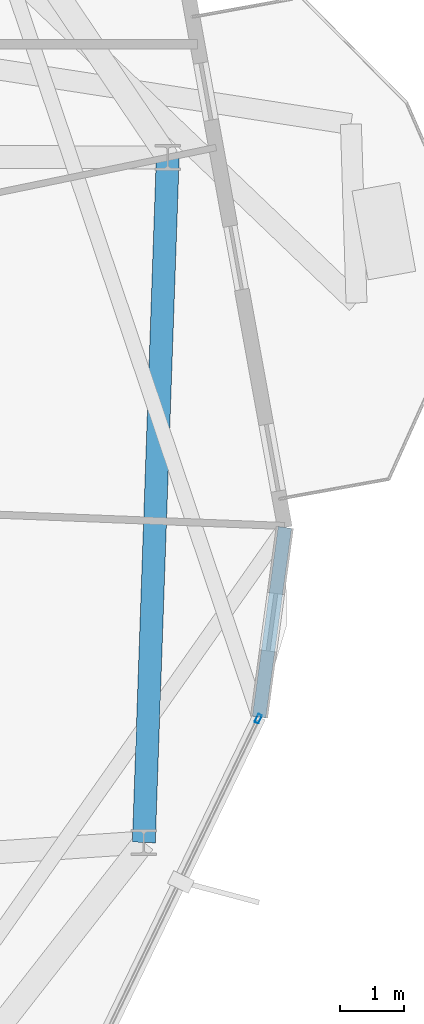
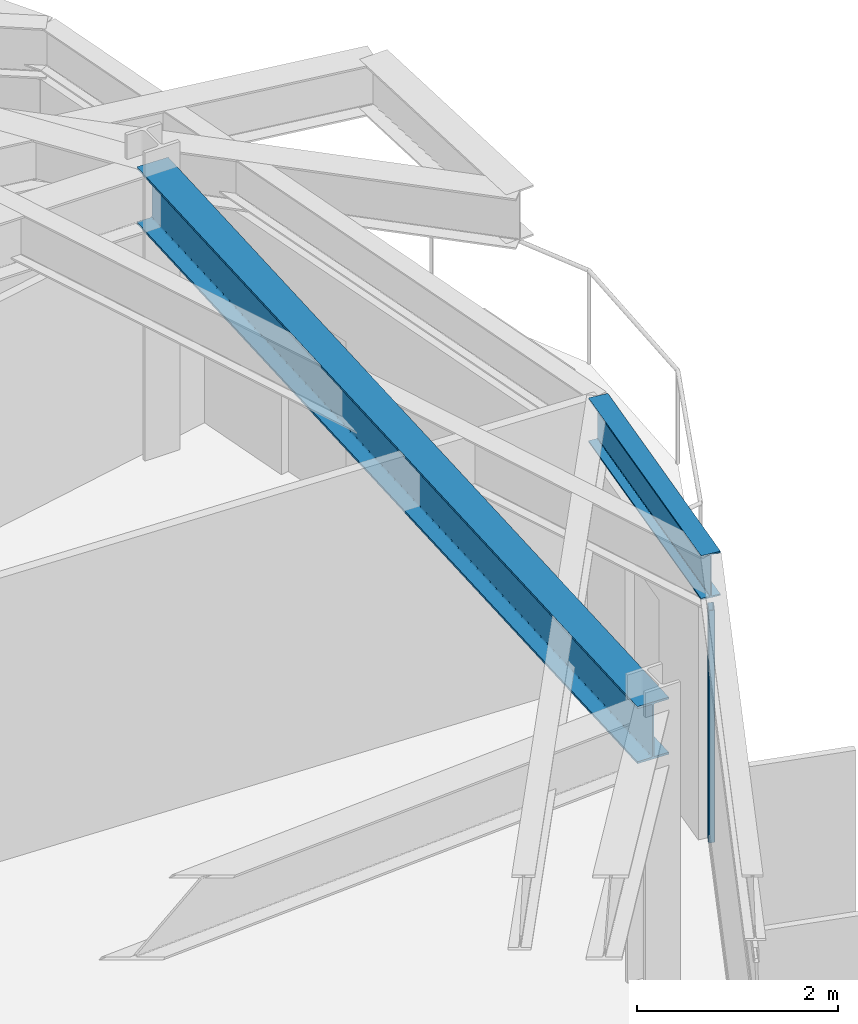
# One storey, part 13 of 26: 2 beams, 1 member, 1 element without a shape of its own.
"""IFC4 building model written with IfcOpenShell, lengths in metres."""

from ifc_helpers import new_model, si_unit, direction, frame, origin, origin_2d, place, context, subcontext, project, spatial, hollow_rectangle, i_section, extrude, material, layer, layer_set, material_profile, profile_set, type_object, element, aggregate, save


model = new_model("IFC4")

# Units and contexts
model_context = context("Model", 3, precision=1e-05, world=origin(), true_north=direction((0.0, 1.0)))
body_context = subcontext(model_context, "Body", "Model", "MODEL_VIEW")
ifc_project = project(units=[si_unit("LENGTHUNIT", "METRE"), si_unit("AREAUNIT", "SQUARE_METRE"), si_unit("VOLUMEUNIT", "CUBIC_METRE"), si_unit("PLANEANGLEUNIT", "RADIAN"), si_unit("MASSUNIT", "GRAM", prefix="KILO")], contexts=[model_context])

# Site, building, storey
site_placement = place(None, origin())
site = spatial("IfcSite", under=ifc_project, at=site_placement, CompositionType="ELEMENT")
building_placement = place(site_placement, origin())
building = spatial("IfcBuilding", under=site, at=building_placement, Name="Soratama Intermodal Tower", CompositionType="ELEMENT")
storey_placement = place(building_placement, frame((0.0, 0.0, 268.75)))
storey = spatial("IfcBuildingStorey", under=building, at=storey_placement, Name="L68", CompositionType="ELEMENT", Elevation=268.75)

# Beams
ifc_material_1 = material(Name="Structural steel ASTM A992 Grade 50", Category="steel")
ifc_material_profile_1 = material_profile(ifc_material_1, i_section(OverallWidth=0.35498046875, OverallDepth=0.695068359375, WebThickness=0.015380859375, FlangeThickness=0.02490234375, FilletRadius=0.01611328125, at=origin_2d()), Name="W27X146")
ifc_profile_set_1 = profile_set([ifc_material_profile_1], Name="Structural steel ASTM A992 Grade 50")
beam_type_1 = type_object("IfcBeamType", Name="BM-RING-W27X146", PredefinedType="BEAM", material=ifc_profile_set_1)
beam_1_placement = place(storey_placement, frame((61.1630859375, 19.116943359375, 3.1025390625), z_axis=(0.034885453879, 0.999391317307, 0.0), x_axis=(-0.999391317307, 0.034885453879, 0.0)))
element("IfcBeam", 1, at=beam_1_placement, inside=storey, type_object=beam_type_1, Name="BM-L68-RING-10", PredefinedType="BEAM", context=body_context, shape_type="SweptSolid", body=[
    extrude(i_section(OverallWidth=0.35498046875, OverallDepth=0.695068359375, WebThickness=0.015380859375, FlangeThickness=0.02490234375, FilletRadius=0.01611328125, at=origin_2d()), origin(), (0.0, 0.0, 1.0), 10.630615234375),
])
ifc_material_2 = material(Name="Structural steel ASTM A992 Grade 50", Category="steel")
ifc_material_profile_2 = material_profile(ifc_material_2, i_section(OverallWidth=0.2099609375, OverallDepth=0.537109375, WebThickness=0.010986328125, FlangeThickness=0.017333984375, FilletRadius=0.012939453125, at=origin_2d()), Name="W21X68")
ifc_profile_set_2 = profile_set([ifc_material_profile_2], Name="Structural steel ASTM A992 Grade 50")
beam_type_2 = type_object("IfcBeamType", Name="BM-SPN-W21X68", PredefinedType="SPANDREL", material=ifc_profile_set_2)
beam_2_placement = place(storey_placement, frame((62.950927734375, 21.06298828125, 3.181396484375), z_axis=(0.134863510999, 0.990864185144, 0.0), x_axis=(-0.990864185144, 0.134863510999, 0.0)))
element("IfcBeam", 2, at=beam_2_placement, inside=storey, type_object=beam_type_2, Name="BS-L68-CRN08", PredefinedType="SPANDREL", context=body_context, shape_type="SweptSolid", body=[
    extrude(i_section(OverallWidth=0.2099609375, OverallDepth=0.537109375, WebThickness=0.010986328125, FlangeThickness=0.017333984375, FilletRadius=0.012939453125, at=origin_2d()), origin(), (0.0, 0.0, 1.0), 2.967041015625),
])

# Curtain wall, member
ifc_material_3 = material(Name="Double-glazed aluminium curtain wall", Category="aluminium")
ifc_layer = layer(ifc_material_3, 0.159912109375)
ifc_layer_set = layer_set([ifc_layer], Name="Double-glazed aluminium curtain wall")
curtain_wall_type = type_object("IfcCurtainWallType", Name="CW-SYS-5", PredefinedType="NOTDEFINED", material=ifc_layer_set)
curtain_wall_placement = place(storey_placement, origin())
curtain_wall = element("IfcCurtainWall", 3, at=curtain_wall_placement, inside=storey, type_object=curtain_wall_type, Name="L68 Faceted Curtain Wall F08", PredefinedType="NOTDEFINED")
ifc_material_4 = material(Name="Anodised aluminium AA 6063-T6", Category="aluminium")
ifc_material_profile_3 = material_profile(ifc_material_4, hollow_rectangle(XDim=0.06494140625, YDim=0.139892578125, WallThickness=0.0048828125, InnerFilletRadius=0.0048828125, OuterFilletRadius=0.010009765625, at=origin_2d()), Name="CWM140X65X5")
ifc_profile_set_3 = profile_set([ifc_material_profile_3], Name="Anodised aluminium AA 6063-T6")
member_type = type_object("IfcMemberType", Name="MT-CWM-5", PredefinedType="MULLION", material=ifc_profile_set_3)
member_placement = place(storey_placement, frame((62.9384765625, 21.0361328125, 0.0), z_axis=(0.0, 0.0, 1.0), x_axis=(-0.900772297575, 0.434291685301, 0.0)))
member = element("IfcMember", 4, at=member_placement, type_object=member_type, Name="CW-5 mullion 2", PredefinedType="MULLION", context=body_context, shape_type="SweptSolid", body=[
    extrude(hollow_rectangle(XDim=0.06494140625, YDim=0.139892578125, WallThickness=0.0048828125, InnerFilletRadius=0.0048828125, OuterFilletRadius=0.010009765625, at=origin_2d()), origin(), (0.0, 0.0, 1.0), 2.8291015625),
])
aggregate(curtain_wall, [member])

save(model, "model.ifc")
